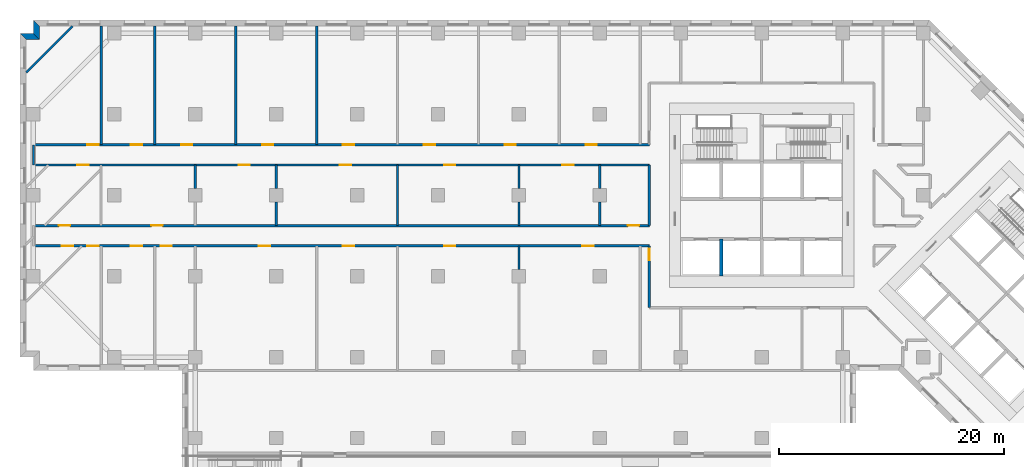
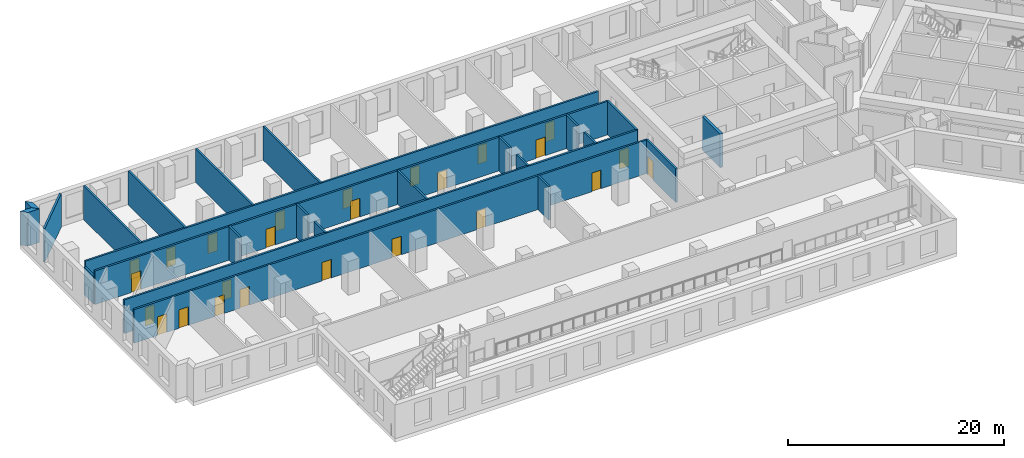
# One storey, part 4 of 13: 25 doors, 24 walls, 25 openings.
"""IFC4 building model written with IfcOpenShell, lengths in metres."""

from ifc_helpers import new_model, si_unit, direction, frame, frame_2d, origin, place, context, subcontext, project, spatial, polyline, rectangle, outline, extrude, material, layer, layer_set, type_object, element, fill, save


model = new_model("IFC4")

# Units and contexts
model_context = context("Model", 3, precision=1e-05, world=origin(), true_north=direction((0.0, 1.0)))
body_context = subcontext(model_context, "Body", "Model", "MODEL_VIEW")
ifc_project = project(units=[si_unit("LENGTHUNIT", "METRE"), si_unit("AREAUNIT", "SQUARE_METRE"), si_unit("VOLUMEUNIT", "CUBIC_METRE"), si_unit("PLANEANGLEUNIT", "RADIAN"), si_unit("MASSUNIT", "GRAM", prefix="KILO")], contexts=[model_context])

# Site, building, storey
site_placement = place(None, origin())
site = spatial("IfcSite", under=ifc_project, at=site_placement, CompositionType="ELEMENT")
building_placement = place(site_placement, origin())
building = spatial("IfcBuilding", under=site, at=building_placement, Name="Windrow Commons", CompositionType="ELEMENT")
storey_placement = place(building_placement, frame((0.0, 0.0, 14.4)))
storey = spatial("IfcBuildingStorey", under=building, at=storey_placement, Name="L03", CompositionType="ELEMENT", Elevation=14.4)

# Walls
ifc_material_1 = material(Name="Brick masonry, red clay brick", Category="masonry")
ifc_layer_1 = layer(ifc_material_1, 0.55)
ifc_layer_set_1 = layer_set([ifc_layer_1], Name="Brick facade wall 550")
wall_type_1 = type_object("IfcWallType", Name="Brick facade wall 550", PredefinedType="SOLIDWALL", material=ifc_layer_set_1)
wall_1_placement = place(storey_placement, frame((0.275, 72.925, 0.0), z_axis=(0.0, 0.0, 1.0), x_axis=(0.0, -1.0, 0.0)))
element("IfcWall", 1, at=wall_1_placement, inside=storey, type_object=wall_type_1, Name="Brick facade wall L03 6", PredefinedType="SOLIDWALL", context=body_context, shape_type="SweptSolid", body=[
    extrude(outline(polyline([(-0.275, -0.275), (0.925, -0.275), (1.475, 0.275), (0.275, 0.275), (-0.275, -0.275)])), origin(), (0.0, 0.0, 1.0), 3.8),
])
wall_2_placement = place(storey_placement, frame((0.275, 71.725, 0.0), z_axis=(0.0, 0.0, 1.0), x_axis=(-1.0, 0.0, 0.0)))
element("IfcWall", 2, at=wall_2_placement, inside=storey, type_object=wall_type_1, Name="Brick facade wall L03 7", PredefinedType="SOLIDWALL", context=body_context, shape_type="SweptSolid", body=[
    extrude(outline(polyline([(0.275, -0.275), (1.475, -0.275), (0.925, 0.275), (-0.275, 0.275), (0.275, -0.275)])), origin(), (0.0, 0.0, 1.0), 3.8),
])

# Wall, openings, doors
ifc_material_2 = material(Name="Blockwork partition", Category="masonry")
ifc_layer_2 = layer(ifc_material_2, 0.2)
ifc_layer_set_2 = layer_set([ifc_layer_2], Name="IW-CORRIDOR-200")
wall_type_2 = type_object("IfcWallType", Name="IW-CORRIDOR-200", PredefinedType="PARTITIONING", material=ifc_layer_set_2)
wall_3_placement = place(storey_placement, frame((0.0, 54.9, 0.0), z_axis=(0.0, 0.0, 1.0), x_axis=(1.0, 0.0, 0.0)))
wall_3 = element("IfcWall", 3, at=wall_3_placement, inside=storey, type_object=wall_type_2, Name="W-L03-W001", PredefinedType="PARTITIONING", context=body_context, shape_type="SweptSolid", body=[
    extrude(rectangle(XDim=54.8, YDim=0.2, at=frame_2d((27.4, 0.0))), origin(), (0.0, 0.0, 1.0), 3.8),
])
opening_1_placement = place(wall_3_placement, frame((10.4853, 0.0, 0.0)))
opening_1 = element("IfcOpeningElement", 4, at=opening_1_placement, cuts=wall_3, Name="Opening D310F", PredefinedType="OPENING", context=body_context, shape_type="SweptSolid", body=[
    extrude(rectangle(XDim=1.0, YDim=2.1, at=frame_2d((0.5, 1.05))), frame((0.0, 0.11, 0.0), z_axis=(0.0, -1.0, 0.0), x_axis=(1.0, 0.0, 0.0)), (0.0, 0.0, 1.0), 0.22),
])
opening_2_placement = place(wall_3_placement, frame((52.9021, 0.0, 0.0)))
opening_2 = element("IfcOpeningElement", 5, at=opening_2_placement, cuts=wall_3, Name="Opening D310F", PredefinedType="OPENING", context=body_context, shape_type="SweptSolid", body=[
    extrude(rectangle(XDim=1.0, YDim=2.1, at=frame_2d((0.5, 1.05))), frame((0.0, 0.11, 0.0), z_axis=(0.0, -1.0, 0.0), x_axis=(1.0, 0.0, 0.0)), (0.0, 0.0, 1.0), 0.22),
])
opening_3_placement = place(wall_3_placement, frame((2.268, 0.0, 0.0)))
opening_3 = element("IfcOpeningElement", 6, at=opening_3_placement, cuts=wall_3, Name="Opening D310F", PredefinedType="OPENING", context=body_context, shape_type="SweptSolid", body=[
    extrude(rectangle(XDim=1.0, YDim=2.1, at=frame_2d((0.5, 1.05))), frame((0.0, 0.11, 0.0), z_axis=(0.0, -1.0, 0.0), x_axis=(1.0, 0.0, 0.0)), (0.0, 0.0, 1.0), 0.22),
])
ifc_material_3 = material(Name="Timber door leaf", Category="wood")
door_type_1 = type_object("IfcDoorType", Name="DT-AMENITY-1000", OperationType="SINGLE_SWING_LEFT", PredefinedType="DOOR", material=ifc_material_3)
door_1_placement = place(opening_1_placement, origin())
door_1 = element("IfcDoor", 7, at=door_1_placement, inside=storey, type_object=door_type_1, Name="D-L03-D011", OperationType="SINGLE_SWING_RIGHT", OverallHeight=2.1, OverallWidth=1.0, PredefinedType="DOOR", context=body_context, shape_type="SweptSolid", body=[
    extrude(rectangle(XDim=1.0, YDim=2.1, at=frame_2d((0.5, 1.05))), frame((0.0, 0.025, 0.0), z_axis=(0.0, -1.0, 0.0), x_axis=(1.0, 0.0, 0.0)), (0.0, 0.0, 1.0), 0.05),
])
fill(opening_1, door_1)
door_2_placement = place(opening_2_placement, origin())
door_2 = element("IfcDoor", 8, at=door_2_placement, inside=storey, type_object=door_type_1, Name="D-L03-D016", OperationType="SINGLE_SWING_RIGHT", OverallHeight=2.1, OverallWidth=1.0, PredefinedType="DOOR", context=body_context, shape_type="SweptSolid", body=[
    extrude(rectangle(XDim=1.0, YDim=2.1, at=frame_2d((0.5, 1.05))), frame((0.0, 0.025, 0.0), z_axis=(0.0, -1.0, 0.0), x_axis=(1.0, 0.0, 0.0)), (0.0, 0.0, 1.0), 0.05),
])
fill(opening_2, door_2)
door_3_placement = place(opening_3_placement, origin())
door_3 = element("IfcDoor", 9, at=door_3_placement, inside=storey, type_object=door_type_1, Name="D-L03-D043", OperationType="SINGLE_SWING_LEFT", OverallHeight=2.1, OverallWidth=1.0, PredefinedType="DOOR", context=body_context, shape_type="SweptSolid", body=[
    extrude(rectangle(XDim=1.0, YDim=2.1, at=frame_2d((0.5, 1.05))), frame((0.0, 0.025, 0.0), z_axis=(0.0, -1.0, 0.0), x_axis=(1.0, 0.0, 0.0)), (0.0, 0.0, 1.0), 0.05),
])
fill(opening_3, door_3)

wall_4_placement = place(storey_placement, frame((0.0, 53.1, 0.0), z_axis=(0.0, 0.0, 1.0), x_axis=(1.0, 0.0, 0.0)))
wall_4 = element("IfcWall", 10, at=wall_4_placement, inside=storey, type_object=wall_type_2, Name="W-L03-W002", PredefinedType="PARTITIONING", context=body_context, shape_type="SweptSolid", body=[
    extrude(rectangle(XDim=54.8, YDim=0.2, at=frame_2d((27.4, 0.0))), origin(), (0.0, 0.0, 1.0), 3.8),
])
opening_4_placement = place(wall_4_placement, frame((8.6687, 0.0, 0.0)))
opening_4 = element("IfcOpeningElement", 11, at=opening_4_placement, cuts=wall_4, Name="Opening D310F", PredefinedType="OPENING", context=body_context, shape_type="SweptSolid", body=[
    extrude(rectangle(XDim=1.0, YDim=2.1, at=frame_2d((0.5, 1.05))), frame((0.0, 0.11, 0.0), z_axis=(0.0, -1.0, 0.0), x_axis=(1.0, 0.0, 0.0)), (0.0, 0.0, 1.0), 0.22),
])
opening_5_placement = place(wall_4_placement, frame((11.3075, 0.0, 0.0)))
opening_5 = element("IfcOpeningElement", 12, at=opening_5_placement, cuts=wall_4, Name="Opening D310F", PredefinedType="OPENING", context=body_context, shape_type="SweptSolid", body=[
    extrude(rectangle(XDim=1.0, YDim=2.1, at=frame_2d((0.5, 1.05))), frame((0.0, 0.11, 0.0), z_axis=(0.0, -1.0, 0.0), x_axis=(1.0, 0.0, 0.0)), (0.0, 0.0, 1.0), 0.22),
])
opening_6_placement = place(wall_4_placement, frame((20.0583, 0.0, 0.0)))
opening_6 = element("IfcOpeningElement", 13, at=opening_6_placement, cuts=wall_4, Name="Opening D310F", PredefinedType="OPENING", context=body_context, shape_type="SweptSolid", body=[
    extrude(rectangle(XDim=1.0, YDim=2.1, at=frame_2d((0.5, 1.05))), frame((0.0, 0.11, 0.0), z_axis=(0.0, -1.0, 0.0), x_axis=(1.0, 0.0, 0.0)), (0.0, 0.0, 1.0), 0.22),
])
opening_7_placement = place(wall_4_placement, frame((27.5375, 0.0, 0.0)))
opening_7 = element("IfcOpeningElement", 14, at=opening_7_placement, cuts=wall_4, Name="Opening D310F", PredefinedType="OPENING", context=body_context, shape_type="SweptSolid", body=[
    extrude(rectangle(XDim=1.0, YDim=2.1, at=frame_2d((0.5, 1.05))), frame((0.0, 0.11, 0.0), z_axis=(0.0, -1.0, 0.0), x_axis=(1.0, 0.0, 0.0)), (0.0, 0.0, 1.0), 0.22),
])
opening_8_placement = place(wall_4_placement, frame((36.5417, 0.0, 0.0)))
opening_8 = element("IfcOpeningElement", 15, at=opening_8_placement, cuts=wall_4, Name="Opening D310F", PredefinedType="OPENING", context=body_context, shape_type="SweptSolid", body=[
    extrude(rectangle(XDim=1.0, YDim=2.1, at=frame_2d((0.5, 1.05))), frame((0.0, 0.11, 0.0), z_axis=(0.0, -1.0, 0.0), x_axis=(1.0, 0.0, 0.0)), (0.0, 0.0, 1.0), 0.22),
])
opening_9_placement = place(wall_4_placement, frame((48.8583, 0.0, 0.0)))
opening_9 = element("IfcOpeningElement", 16, at=opening_9_placement, cuts=wall_4, Name="Opening D310F", PredefinedType="OPENING", context=body_context, shape_type="SweptSolid", body=[
    extrude(rectangle(XDim=1.0, YDim=2.1, at=frame_2d((0.5, 1.05))), frame((0.0, 0.11, 0.0), z_axis=(0.0, -1.0, 0.0), x_axis=(1.0, 0.0, 0.0)), (0.0, 0.0, 1.0), 0.22),
])
opening_10_placement = place(wall_4_placement, frame((2.5221, 0.0, 0.0)))
opening_10 = element("IfcOpeningElement", 17, at=opening_10_placement, cuts=wall_4, Name="Opening D410F", PredefinedType="OPENING", context=body_context, shape_type="SweptSolid", body=[
    extrude(rectangle(XDim=1.0, YDim=2.1, at=frame_2d((0.5, 1.05))), frame((0.0, 0.11, 0.0), z_axis=(0.0, -1.0, 0.0), x_axis=(1.0, 0.0, 0.0)), (0.0, 0.0, 1.0), 0.22),
])
opening_11_placement = place(wall_4_placement, frame((4.7901, 0.0, 0.0)))
opening_11 = element("IfcOpeningElement", 18, at=opening_11_placement, cuts=wall_4, Name="Opening D310F", PredefinedType="OPENING", context=body_context, shape_type="SweptSolid", body=[
    extrude(rectangle(XDim=1.0, YDim=2.1, at=frame_2d((0.5, 1.05))), frame((0.0, 0.11, 0.0), z_axis=(0.0, -1.0, 0.0), x_axis=(1.0, 0.0, 0.0)), (0.0, 0.0, 1.0), 0.22),
])
door_4_placement = place(opening_4_placement, origin())
door_4 = element("IfcDoor", 19, at=door_4_placement, inside=storey, type_object=door_type_1, Name="D-L03-D000", OperationType="SINGLE_SWING_LEFT", OverallHeight=2.1, OverallWidth=1.0, PredefinedType="DOOR", context=body_context, shape_type="SweptSolid", body=[
    extrude(rectangle(XDim=1.0, YDim=2.1, at=frame_2d((0.5, 1.05))), frame((0.0, 0.025, 0.0), z_axis=(0.0, -1.0, 0.0), x_axis=(1.0, 0.0, 0.0)), (0.0, 0.0, 1.0), 0.05),
])
fill(opening_4, door_4)
door_5_placement = place(opening_5_placement, origin())
door_5 = element("IfcDoor", 20, at=door_5_placement, inside=storey, type_object=door_type_1, Name="D-L03-D001", OperationType="SINGLE_SWING_RIGHT", OverallHeight=2.1, OverallWidth=1.0, PredefinedType="DOOR", context=body_context, shape_type="SweptSolid", body=[
    extrude(rectangle(XDim=1.0, YDim=2.1, at=frame_2d((0.5, 1.05))), frame((0.0, 0.025, 0.0), z_axis=(0.0, -1.0, 0.0), x_axis=(1.0, 0.0, 0.0)), (0.0, 0.0, 1.0), 0.05),
])
fill(opening_5, door_5)
door_6_placement = place(opening_6_placement, origin())
door_6 = element("IfcDoor", 21, at=door_6_placement, inside=storey, type_object=door_type_1, Name="D-L03-D002", OperationType="SINGLE_SWING_LEFT", OverallHeight=2.1, OverallWidth=1.0, PredefinedType="DOOR", context=body_context, shape_type="SweptSolid", body=[
    extrude(rectangle(XDim=1.0, YDim=2.1, at=frame_2d((0.5, 1.05))), frame((0.0, 0.025, 0.0), z_axis=(0.0, -1.0, 0.0), x_axis=(1.0, 0.0, 0.0)), (0.0, 0.0, 1.0), 0.05),
])
fill(opening_6, door_6)
door_7_placement = place(opening_7_placement, origin())
door_7 = element("IfcDoor", 22, at=door_7_placement, inside=storey, type_object=door_type_1, Name="D-L03-D003", OperationType="SINGLE_SWING_RIGHT", OverallHeight=2.1, OverallWidth=1.0, PredefinedType="DOOR", context=body_context, shape_type="SweptSolid", body=[
    extrude(rectangle(XDim=1.0, YDim=2.1, at=frame_2d((0.5, 1.05))), frame((0.0, 0.025, 0.0), z_axis=(0.0, -1.0, 0.0), x_axis=(1.0, 0.0, 0.0)), (0.0, 0.0, 1.0), 0.05),
])
fill(opening_7, door_7)
door_8_placement = place(opening_8_placement, origin())
door_8 = element("IfcDoor", 23, at=door_8_placement, inside=storey, type_object=door_type_1, Name="D-L03-D004", OperationType="SINGLE_SWING_RIGHT", OverallHeight=2.1, OverallWidth=1.0, PredefinedType="DOOR", context=body_context, shape_type="SweptSolid", body=[
    extrude(rectangle(XDim=1.0, YDim=2.1, at=frame_2d((0.5, 1.05))), frame((0.0, 0.025, 0.0), z_axis=(0.0, -1.0, 0.0), x_axis=(1.0, 0.0, 0.0)), (0.0, 0.0, 1.0), 0.05),
])
fill(opening_8, door_8)
door_9_placement = place(opening_9_placement, origin())
door_9 = element("IfcDoor", 24, at=door_9_placement, inside=storey, type_object=door_type_1, Name="D-L03-D005", OperationType="SINGLE_SWING_LEFT", OverallHeight=2.1, OverallWidth=1.0, PredefinedType="DOOR", context=body_context, shape_type="SweptSolid", body=[
    extrude(rectangle(XDim=1.0, YDim=2.1, at=frame_2d((0.5, 1.05))), frame((0.0, 0.025, 0.0), z_axis=(0.0, -1.0, 0.0), x_axis=(1.0, 0.0, 0.0)), (0.0, 0.0, 1.0), 0.05),
])
fill(opening_9, door_9)
door_10_placement = place(opening_11_placement, origin())
door_10 = element("IfcDoor", 25, at=door_10_placement, inside=storey, type_object=door_type_1, Name="D-L03-D044", OperationType="SINGLE_SWING_LEFT", OverallHeight=2.1, OverallWidth=1.0, PredefinedType="DOOR", context=body_context, shape_type="SweptSolid", body=[
    extrude(rectangle(XDim=1.0, YDim=2.1, at=frame_2d((0.5, 1.05))), frame((0.0, 0.025, 0.0), z_axis=(0.0, -1.0, 0.0), x_axis=(1.0, 0.0, 0.0)), (0.0, 0.0, 1.0), 0.05),
])
fill(opening_11, door_10)
ifc_material_4 = material(Name="Timber door leaf", Category="wood")
door_type_2 = type_object("IfcDoorType", Name="DT-SERVICE-1000", OperationType="SINGLE_SWING_LEFT", PredefinedType="DOOR", material=ifc_material_4)
door_11_placement = place(opening_10_placement, origin())
door_11 = element("IfcDoor", 26, at=door_11_placement, inside=storey, type_object=door_type_2, Name="D-L03-D042", OperationType="SINGLE_SWING_RIGHT", OverallHeight=2.1, OverallWidth=1.0, PredefinedType="DOOR", context=body_context, shape_type="SweptSolid", body=[
    extrude(rectangle(XDim=1.0, YDim=2.1, at=frame_2d((0.5, 1.05))), frame((0.0, 0.025, 0.0), z_axis=(0.0, -1.0, 0.0), x_axis=(1.0, 0.0, 0.0)), (0.0, 0.0, 1.0), 0.05),
])
fill(opening_10, door_11)

wall_5_placement = place(storey_placement, frame((0.002, 60.3, 0.0), z_axis=(0.0, 0.0, 1.0), x_axis=(1.0, 0.0, 0.0)))
wall_5 = element("IfcWall", 27, at=wall_5_placement, inside=storey, type_object=wall_type_2, Name="W-L03-W003", PredefinedType="PARTITIONING", context=body_context, shape_type="SweptSolid", body=[
    extrude(rectangle(XDim=54.798, YDim=0.2, at=frame_2d((27.399, 0.0))), origin(), (0.0, 0.0, 1.0), 3.8),
])
opening_12_placement = place(wall_5_placement, frame((18.2605, 0.0, 0.0)))
opening_12 = element("IfcOpeningElement", 28, at=opening_12_placement, cuts=wall_5, Name="Opening D310F", PredefinedType="OPENING", context=body_context, shape_type="SweptSolid", body=[
    extrude(rectangle(XDim=1.0, YDim=2.1, at=frame_2d((0.5, 1.05))), frame((0.0, 0.11, 0.0), z_axis=(0.0, -1.0, 0.0), x_axis=(1.0, 0.0, 0.0)), (0.0, 0.0, 1.0), 0.22),
])
opening_13_placement = place(wall_5_placement, frame((27.2563, 0.0, 0.0)))
opening_13 = element("IfcOpeningElement", 29, at=opening_13_placement, cuts=wall_5, Name="Opening D310F", PredefinedType="OPENING", context=body_context, shape_type="SweptSolid", body=[
    extrude(rectangle(XDim=1.0, YDim=2.1, at=frame_2d((0.5, 1.05))), frame((0.0, 0.11, 0.0), z_axis=(0.0, -1.0, 0.0), x_axis=(1.0, 0.0, 0.0)), (0.0, 0.0, 1.0), 0.22),
])
opening_14_placement = place(wall_5_placement, frame((36.5397, 0.0, 0.0)))
opening_14 = element("IfcOpeningElement", 30, at=opening_14_placement, cuts=wall_5, Name="Opening D310F", PredefinedType="OPENING", context=body_context, shape_type="SweptSolid", body=[
    extrude(rectangle(XDim=1.0, YDim=2.1, at=frame_2d((0.5, 1.05))), frame((0.0, 0.11, 0.0), z_axis=(0.0, -1.0, 0.0), x_axis=(1.0, 0.0, 0.0)), (0.0, 0.0, 1.0), 0.22),
])
opening_15_placement = place(wall_5_placement, frame((47.0605, 0.0, 0.0)))
opening_15 = element("IfcOpeningElement", 31, at=opening_15_placement, cuts=wall_5, Name="Opening D310F", PredefinedType="OPENING", context=body_context, shape_type="SweptSolid", body=[
    extrude(rectangle(XDim=1.0, YDim=2.1, at=frame_2d((0.5, 1.05))), frame((0.0, 0.11, 0.0), z_axis=(0.0, -1.0, 0.0), x_axis=(1.0, 0.0, 0.0)), (0.0, 0.0, 1.0), 0.22),
])
opening_16_placement = place(wall_5_placement, frame((3.8977, 0.0, 0.0)))
opening_16 = element("IfcOpeningElement", 32, at=opening_16_placement, cuts=wall_5, Name="Opening D310F", PredefinedType="OPENING", context=body_context, shape_type="SweptSolid", body=[
    extrude(rectangle(XDim=1.0, YDim=2.1, at=frame_2d((0.5, 1.05))), frame((0.0, 0.11, 0.0), z_axis=(0.0, -1.0, 0.0), x_axis=(1.0, 0.0, 0.0)), (0.0, 0.0, 1.0), 0.22),
])
door_12_placement = place(opening_12_placement, origin())
door_12 = element("IfcDoor", 33, at=door_12_placement, inside=storey, type_object=door_type_1, Name="D-L03-D012", OperationType="SINGLE_SWING_LEFT", OverallHeight=2.1, OverallWidth=1.0, PredefinedType="DOOR", context=body_context, shape_type="SweptSolid", body=[
    extrude(rectangle(XDim=1.0, YDim=2.1, at=frame_2d((0.5, 1.05))), frame((0.0, 0.025, 0.0), z_axis=(0.0, -1.0, 0.0), x_axis=(1.0, 0.0, 0.0)), (0.0, 0.0, 1.0), 0.05),
])
fill(opening_12, door_12)
door_13_placement = place(opening_13_placement, origin())
door_13 = element("IfcDoor", 34, at=door_13_placement, inside=storey, type_object=door_type_1, Name="D-L03-D013", OperationType="SINGLE_SWING_LEFT", OverallHeight=2.1, OverallWidth=1.0, PredefinedType="DOOR", context=body_context, shape_type="SweptSolid", body=[
    extrude(rectangle(XDim=1.0, YDim=2.1, at=frame_2d((0.5, 1.05))), frame((0.0, 0.025, 0.0), z_axis=(0.0, -1.0, 0.0), x_axis=(1.0, 0.0, 0.0)), (0.0, 0.0, 1.0), 0.05),
])
fill(opening_13, door_13)
door_14_placement = place(opening_14_placement, origin())
door_14 = element("IfcDoor", 35, at=door_14_placement, inside=storey, type_object=door_type_1, Name="D-L03-D014", OperationType="SINGLE_SWING_RIGHT", OverallHeight=2.1, OverallWidth=1.0, PredefinedType="DOOR", context=body_context, shape_type="SweptSolid", body=[
    extrude(rectangle(XDim=1.0, YDim=2.1, at=frame_2d((0.5, 1.05))), frame((0.0, 0.025, 0.0), z_axis=(0.0, -1.0, 0.0), x_axis=(1.0, 0.0, 0.0)), (0.0, 0.0, 1.0), 0.05),
])
fill(opening_14, door_14)
door_15_placement = place(opening_15_placement, origin())
door_15 = element("IfcDoor", 36, at=door_15_placement, inside=storey, type_object=door_type_1, Name="D-L03-D015", OperationType="SINGLE_SWING_LEFT", OverallHeight=2.1, OverallWidth=1.0, PredefinedType="DOOR", context=body_context, shape_type="SweptSolid", body=[
    extrude(rectangle(XDim=1.0, YDim=2.1, at=frame_2d((0.5, 1.05))), frame((0.0, 0.025, 0.0), z_axis=(0.0, -1.0, 0.0), x_axis=(1.0, 0.0, 0.0)), (0.0, 0.0, 1.0), 0.05),
])
fill(opening_15, door_15)
door_16_placement = place(opening_16_placement, origin())
door_16 = element("IfcDoor", 37, at=door_16_placement, inside=storey, type_object=door_type_1, Name="D-L03-D041", OperationType="SINGLE_SWING_LEFT", OverallHeight=2.1, OverallWidth=1.0, PredefinedType="DOOR", context=body_context, shape_type="SweptSolid", body=[
    extrude(rectangle(XDim=1.0, YDim=2.1, at=frame_2d((0.5, 1.05))), frame((0.0, 0.025, 0.0), z_axis=(0.0, -1.0, 0.0), x_axis=(1.0, 0.0, 0.0)), (0.0, 0.0, 1.0), 0.05),
])
fill(opening_16, door_16)

wall_6_placement = place(storey_placement, frame((0.002, 62.1, 0.0), z_axis=(0.0, 0.0, 1.0), x_axis=(1.0, 0.0, 0.0)))
wall_6 = element("IfcWall", 38, at=wall_6_placement, inside=storey, type_object=wall_type_2, Name="W-L03-W004", PredefinedType="PARTITIONING", context=body_context, shape_type="SweptSolid", body=[
    extrude(rectangle(XDim=54.798, YDim=0.2, at=frame_2d((27.399, 0.0))), origin(), (0.0, 0.0, 1.0), 3.8),
])
opening_17_placement = place(wall_6_placement, frame((8.6667, 0.0, 0.0)))
opening_17 = element("IfcOpeningElement", 39, at=opening_17_placement, cuts=wall_6, Name="Opening D310F", PredefinedType="OPENING", context=body_context, shape_type="SweptSolid", body=[
    extrude(rectangle(XDim=1.0, YDim=2.1, at=frame_2d((0.5, 1.05))), frame((0.0, 0.11, 0.0), z_axis=(0.0, -1.0, 0.0), x_axis=(1.0, 0.0, 0.0)), (0.0, 0.0, 1.0), 0.22),
])
opening_18_placement = place(wall_6_placement, frame((13.1355, 0.0, 0.0)))
opening_18 = element("IfcOpeningElement", 40, at=opening_18_placement, cuts=wall_6, Name="Opening D310F", PredefinedType="OPENING", context=body_context, shape_type="SweptSolid", body=[
    extrude(rectangle(XDim=1.0, YDim=2.1, at=frame_2d((0.5, 1.05))), frame((0.0, 0.11, 0.0), z_axis=(0.0, -1.0, 0.0), x_axis=(1.0, 0.0, 0.0)), (0.0, 0.0, 1.0), 0.22),
])
opening_19_placement = place(wall_6_placement, frame((20.3355, 0.0, 0.0)))
opening_19 = element("IfcOpeningElement", 41, at=opening_19_placement, cuts=wall_6, Name="Opening D310F", PredefinedType="OPENING", context=body_context, shape_type="SweptSolid", body=[
    extrude(rectangle(XDim=1.0, YDim=2.1, at=frame_2d((0.5, 1.05))), frame((0.0, 0.11, 0.0), z_axis=(0.0, -1.0, 0.0), x_axis=(1.0, 0.0, 0.0)), (0.0, 0.0, 1.0), 0.22),
])
opening_20_placement = place(wall_6_placement, frame((27.5355, 0.0, 0.0)))
opening_20 = element("IfcOpeningElement", 42, at=opening_20_placement, cuts=wall_6, Name="Opening D310F", PredefinedType="OPENING", context=body_context, shape_type="SweptSolid", body=[
    extrude(rectangle(XDim=1.0, YDim=2.1, at=frame_2d((0.5, 1.05))), frame((0.0, 0.11, 0.0), z_axis=(0.0, -1.0, 0.0), x_axis=(1.0, 0.0, 0.0)), (0.0, 0.0, 1.0), 0.22),
])
opening_21_placement = place(wall_6_placement, frame((34.7355, 0.0, 0.0)))
opening_21 = element("IfcOpeningElement", 43, at=opening_21_placement, cuts=wall_6, Name="Opening D310F", PredefinedType="OPENING", context=body_context, shape_type="SweptSolid", body=[
    extrude(rectangle(XDim=1.0, YDim=2.1, at=frame_2d((0.5, 1.05))), frame((0.0, 0.11, 0.0), z_axis=(0.0, -1.0, 0.0), x_axis=(1.0, 0.0, 0.0)), (0.0, 0.0, 1.0), 0.22),
])
opening_22_placement = place(wall_6_placement, frame((41.9355, 0.0, 0.0)))
opening_22 = element("IfcOpeningElement", 44, at=opening_22_placement, cuts=wall_6, Name="Opening D310F", PredefinedType="OPENING", context=body_context, shape_type="SweptSolid", body=[
    extrude(rectangle(XDim=1.0, YDim=2.1, at=frame_2d((0.5, 1.05))), frame((0.0, 0.11, 0.0), z_axis=(0.0, -1.0, 0.0), x_axis=(1.0, 0.0, 0.0)), (0.0, 0.0, 1.0), 0.22),
])
opening_23_placement = place(wall_6_placement, frame((49.1355, 0.0, 0.0)))
opening_23 = element("IfcOpeningElement", 45, at=opening_23_placement, cuts=wall_6, Name="Opening D310F", PredefinedType="OPENING", context=body_context, shape_type="SweptSolid", body=[
    extrude(rectangle(XDim=1.0, YDim=2.1, at=frame_2d((0.5, 1.05))), frame((0.0, 0.11, 0.0), z_axis=(0.0, -1.0, 0.0), x_axis=(1.0, 0.0, 0.0)), (0.0, 0.0, 1.0), 0.22),
])
opening_24_placement = place(wall_6_placement, frame((4.7991, 0.0, 0.0)))
opening_24 = element("IfcOpeningElement", 46, at=opening_24_placement, cuts=wall_6, Name="Opening D310F", PredefinedType="OPENING", context=body_context, shape_type="SweptSolid", body=[
    extrude(rectangle(XDim=1.0, YDim=2.1, at=frame_2d((0.5, 1.05))), frame((0.0, 0.11, 0.0), z_axis=(0.0, -1.0, 0.0), x_axis=(1.0, 0.0, 0.0)), (0.0, 0.0, 1.0), 0.22),
])
door_17_placement = place(opening_17_placement, origin())
door_17 = element("IfcDoor", 47, at=door_17_placement, inside=storey, type_object=door_type_1, Name="D-L03-D017", OperationType="SINGLE_SWING_RIGHT", OverallHeight=2.1, OverallWidth=1.0, PredefinedType="DOOR", context=body_context, shape_type="SweptSolid", body=[
    extrude(rectangle(XDim=1.0, YDim=2.1, at=frame_2d((0.5, 1.05))), frame((0.0, 0.025, 0.0), z_axis=(0.0, -1.0, 0.0), x_axis=(1.0, 0.0, 0.0)), (0.0, 0.0, 1.0), 0.05),
])
fill(opening_17, door_17)
door_18_placement = place(opening_18_placement, origin())
door_18 = element("IfcDoor", 48, at=door_18_placement, inside=storey, type_object=door_type_1, Name="D-L03-D018", OperationType="SINGLE_SWING_LEFT", OverallHeight=2.1, OverallWidth=1.0, PredefinedType="DOOR", context=body_context, shape_type="SweptSolid", body=[
    extrude(rectangle(XDim=1.0, YDim=2.1, at=frame_2d((0.5, 1.05))), frame((0.0, 0.025, 0.0), z_axis=(0.0, -1.0, 0.0), x_axis=(1.0, 0.0, 0.0)), (0.0, 0.0, 1.0), 0.05),
])
fill(opening_18, door_18)
door_19_placement = place(opening_19_placement, origin())
door_19 = element("IfcDoor", 49, at=door_19_placement, inside=storey, type_object=door_type_1, Name="D-L03-D019", OperationType="SINGLE_SWING_LEFT", OverallHeight=2.1, OverallWidth=1.0, PredefinedType="DOOR", context=body_context, shape_type="SweptSolid", body=[
    extrude(rectangle(XDim=1.0, YDim=2.1, at=frame_2d((0.5, 1.05))), frame((0.0, 0.025, 0.0), z_axis=(0.0, -1.0, 0.0), x_axis=(1.0, 0.0, 0.0)), (0.0, 0.0, 1.0), 0.05),
])
fill(opening_19, door_19)
door_20_placement = place(opening_20_placement, origin())
door_20 = element("IfcDoor", 50, at=door_20_placement, inside=storey, type_object=door_type_1, Name="D-L03-D020", OperationType="SINGLE_SWING_LEFT", OverallHeight=2.1, OverallWidth=1.0, PredefinedType="DOOR", context=body_context, shape_type="SweptSolid", body=[
    extrude(rectangle(XDim=1.0, YDim=2.1, at=frame_2d((0.5, 1.05))), frame((0.0, 0.025, 0.0), z_axis=(0.0, -1.0, 0.0), x_axis=(1.0, 0.0, 0.0)), (0.0, 0.0, 1.0), 0.05),
])
fill(opening_20, door_20)
door_21_placement = place(opening_21_placement, origin())
door_21 = element("IfcDoor", 51, at=door_21_placement, inside=storey, type_object=door_type_1, Name="D-L03-D021", OperationType="SINGLE_SWING_LEFT", OverallHeight=2.1, OverallWidth=1.0, PredefinedType="DOOR", context=body_context, shape_type="SweptSolid", body=[
    extrude(rectangle(XDim=1.0, YDim=2.1, at=frame_2d((0.5, 1.05))), frame((0.0, 0.025, 0.0), z_axis=(0.0, -1.0, 0.0), x_axis=(1.0, 0.0, 0.0)), (0.0, 0.0, 1.0), 0.05),
])
fill(opening_21, door_21)
door_22_placement = place(opening_22_placement, origin())
door_22 = element("IfcDoor", 52, at=door_22_placement, inside=storey, type_object=door_type_1, Name="D-L03-D022", OperationType="SINGLE_SWING_LEFT", OverallHeight=2.1, OverallWidth=1.0, PredefinedType="DOOR", context=body_context, shape_type="SweptSolid", body=[
    extrude(rectangle(XDim=1.0, YDim=2.1, at=frame_2d((0.5, 1.05))), frame((0.0, 0.025, 0.0), z_axis=(0.0, -1.0, 0.0), x_axis=(1.0, 0.0, 0.0)), (0.0, 0.0, 1.0), 0.05),
])
fill(opening_22, door_22)
door_23_placement = place(opening_23_placement, origin())
door_23 = element("IfcDoor", 53, at=door_23_placement, inside=storey, type_object=door_type_1, Name="D-L03-D023", OperationType="SINGLE_SWING_LEFT", OverallHeight=2.1, OverallWidth=1.0, PredefinedType="DOOR", context=body_context, shape_type="SweptSolid", body=[
    extrude(rectangle(XDim=1.0, YDim=2.1, at=frame_2d((0.5, 1.05))), frame((0.0, 0.025, 0.0), z_axis=(0.0, -1.0, 0.0), x_axis=(1.0, 0.0, 0.0)), (0.0, 0.0, 1.0), 0.05),
])
fill(opening_23, door_23)
door_24_placement = place(opening_24_placement, origin())
door_24 = element("IfcDoor", 54, at=door_24_placement, inside=storey, type_object=door_type_1, Name="D-L03-D040", OperationType="SINGLE_SWING_LEFT", OverallHeight=2.1, OverallWidth=1.0, PredefinedType="DOOR", context=body_context, shape_type="SweptSolid", body=[
    extrude(rectangle(XDim=1.0, YDim=2.1, at=frame_2d((0.5, 1.05))), frame((0.0, 0.025, 0.0), z_axis=(0.0, -1.0, 0.0), x_axis=(1.0, 0.0, 0.0)), (0.0, 0.0, 1.0), 0.05),
])
fill(opening_24, door_24)

# Wall, opening, door
wall_7_placement = place(storey_placement, frame((54.8, 47.6, 0.0), z_axis=(0.0, 0.0, 1.0), x_axis=(0.0, 1.0, 0.0)))
wall_7 = element("IfcWall", 55, at=wall_7_placement, inside=storey, type_object=wall_type_2, Name="W-L03-W043", PredefinedType="PARTITIONING", context=body_context, shape_type="SweptSolid", body=[
    extrude(rectangle(XDim=5.5, YDim=0.2, at=frame_2d((2.75, 0.0))), origin(), (0.0, 0.0, 1.0), 3.8),
])
opening_25_placement = place(wall_7_placement, frame((4.24, 0.0, 0.0)))
opening_25 = element("IfcOpeningElement", 56, at=opening_25_placement, cuts=wall_7, Name="Opening D310F", PredefinedType="OPENING", context=body_context, shape_type="SweptSolid", body=[
    extrude(rectangle(XDim=1.0, YDim=2.1, at=frame_2d((0.5, 1.05))), frame((0.0, 0.11, 0.0), z_axis=(0.0, -1.0, 0.0), x_axis=(1.0, 0.0, 0.0)), (0.0, 0.0, 1.0), 0.22),
])
door_25_placement = place(opening_25_placement, origin())
door_25 = element("IfcDoor", 57, at=door_25_placement, inside=storey, type_object=door_type_1, Name="D-L03-D006", OperationType="SINGLE_SWING_RIGHT", OverallHeight=2.1, OverallWidth=1.0, PredefinedType="DOOR", context=body_context, shape_type="SweptSolid", body=[
    extrude(rectangle(XDim=1.0, YDim=2.1, at=frame_2d((0.5, 1.05))), frame((0.0, 0.025, 0.0), z_axis=(0.0, -1.0, 0.0), x_axis=(1.0, 0.0, 0.0)), (0.0, 0.0, 1.0), 0.05),
])
fill(opening_25, door_25)

# Walls
wall_8_placement = place(storey_placement, frame((54.8, 54.902, 0.0), z_axis=(0.0, 0.0, 1.0), x_axis=(0.0, 1.0, 0.0)))
element("IfcWall", 58, at=wall_8_placement, inside=storey, type_object=wall_type_2, Name="W-L03-W048", PredefinedType="PARTITIONING", context=body_context, shape_type="SweptSolid", body=[
    extrude(rectangle(XDim=5.398, YDim=0.2, at=frame_2d((2.699, 0.0))), origin(), (0.0, 0.0, 1.0), 3.8),
])
wall_9_placement = place(storey_placement, frame((0.0, 60.302, 0.0), z_axis=(0.0, 0.0, 1.0), x_axis=(0.0, 1.0, 0.0)))
element("IfcWall", 59, at=wall_9_placement, inside=storey, type_object=wall_type_2, Name="W-L03-W092", PredefinedType="PARTITIONING", context=body_context, shape_type="SweptSolid", body=[
    extrude(rectangle(XDim=1.796, YDim=0.2, at=frame_2d((0.898, 0.0))), origin(), (0.0, 0.0, 1.0), 3.2),
])
ifc_material_5 = material(Name="Blockwork partition", Category="masonry")
ifc_layer_3 = layer(ifc_material_5, 0.2)
ifc_layer_set_3 = layer_set([ifc_layer_3], Name="IW-PARTY-200")
wall_type_3 = type_object("IfcWallType", Name="IW-PARTY-200", PredefinedType="PARTITIONING", material=ifc_layer_set_3)
for number, where, z_axis, x_axis, name in (
    (60, (6.03, 62.1, 0.0), (0.0, 0.0, 1.0), (0.0, 1.0, 0.0), "W-L03-W017"),
    (61, (10.8, 62.1, 0.0), (0.0, 0.0, 1.0), (0.0, 1.0, 0.0), "W-L03-W018"),
    (62, (18.0, 62.1, 0.0), (0.0, 0.0, 1.0), (0.0, 1.0, 0.0), "W-L03-W019"),
    (63, (25.2, 62.1, 0.0), (0.0, 0.0, 1.0), (0.0, 1.0, 0.0), "W-L03-W020"),
):
    element("IfcWall", number, at=place(storey_placement, frame(where, z_axis=z_axis, x_axis=x_axis)), inside=storey, type_object=wall_type_3, Name=name, PredefinedType="PARTITIONING", context=body_context, shape_type="SweptSolid", body=[
        extrude(rectangle(XDim=10.55, YDim=0.2, at=frame_2d((5.275, 0.0))), origin(), (0.0, 0.0, 1.0), 3.8),
    ])
wall_10_placement = place(storey_placement, frame((-0.65, 68.5192, 0.0), z_axis=(0.0, 0.0, 1.0), x_axis=(0.7071067812, 0.7071067812, 0.0)))
element("IfcWall", 64, at=wall_10_placement, inside=storey, type_object=wall_type_3, Name="W-L03-W038", PredefinedType="PARTITIONING", context=body_context, shape_type="SweptSolid", body=[
    extrude(rectangle(XDim=5.8418, YDim=0.2, at=frame_2d((2.9209, 0.0))), origin(), (0.0, 0.0, 1.0), 3.8),
])
wall_11_placement = place(storey_placement, frame((32.4, 54.9, 0.0), z_axis=(0.0, 0.0, 1.0), x_axis=(0.0, 1.0, 0.0)))
element("IfcWall", 65, at=wall_11_placement, inside=storey, type_object=wall_type_3, Name="W-L03-W047", PredefinedType="PARTITIONING", context=body_context, shape_type="SweptSolid", body=[
    extrude(rectangle(XDim=5.4, YDim=0.2, at=frame_2d((2.7, 0.0))), origin(), (0.0, 0.0, 1.0), 3.8),
])
for number, where, z_axis, x_axis, name in (
    (66, (21.6, 54.9, 0.0), (0.0, 0.0, 1.0), (0.0, 1.0, 0.0), "W-L03-W070"),
    (67, (43.2, 51.0, 0.0), (0.0, 0.0, 1.0), (0.0, 1.0, 0.0), "W-L03-W071"),
    (68, (43.2, 54.9, 0.0), (0.0, 0.0, 1.0), (0.0, 1.0, 0.0), "W-L03-W072"),
    (69, (50.4, 54.9, 0.0), (0.0, 0.0, 1.0), (0.0, 1.0, 0.0), "W-L03-W073"),
    (70, (14.4, 58.2, 0.0), (0.0, 0.0, 1.0), (0.0, 1.0, 0.0), "W-L03-W075"),
    (71, (21.6, 58.2, 0.0), (0.0, 0.0, 1.0), (0.0, 1.0, 0.0), "W-L03-W076"),
    (72, (43.2, 58.2, 0.0), (0.0, 0.0, 1.0), (0.0, 1.0, 0.0), "W-L03-W077"),
    (73, (50.4, 58.2, 0.0), (0.0, 0.0, 1.0), (0.0, 1.0, 0.0), "W-L03-W078"),
):
    element("IfcWall", number, at=place(storey_placement, frame(where, z_axis=z_axis, x_axis=x_axis)), inside=storey, type_object=wall_type_3, Name=name, PredefinedType="PARTITIONING", context=body_context, shape_type="SweptSolid", body=[
        extrude(rectangle(XDim=2.1, YDim=0.2, at=frame_2d((1.05, 0.0))), origin(), (0.0, 0.0, 1.0), 3.8),
    ])
ifc_material_6 = material(Name="Concrete C60/75", Category="concrete")
ifc_layer_4 = layer(ifc_material_6, 0.3)
ifc_layer_set_4 = layer_set([ifc_layer_4], Name="RC SHAFT WALL 300 C60/75")
wall_type_4 = type_object("IfcWallType", Name="RC SHAFT WALL 300 C60/75", PredefinedType="SOLIDWALL", material=ifc_layer_set_4)
wall_12_placement = place(storey_placement, frame((61.2, 50.4, 0.0), z_axis=(0.0, 0.0, 1.0), x_axis=(0.0, 1.0, 0.0)))
element("IfcWall", 74, at=wall_12_placement, inside=storey, type_object=wall_type_4, Name="Core A wall shaft-S1", PredefinedType="SOLIDWALL", context=body_context, shape_type="SweptSolid", body=[
    extrude(rectangle(XDim=3.3, YDim=0.3, at=frame_2d((1.65, 0.0))), origin(), (0.0, 0.0, 1.0), 3.8),
])

save(model, "model.ifc")
